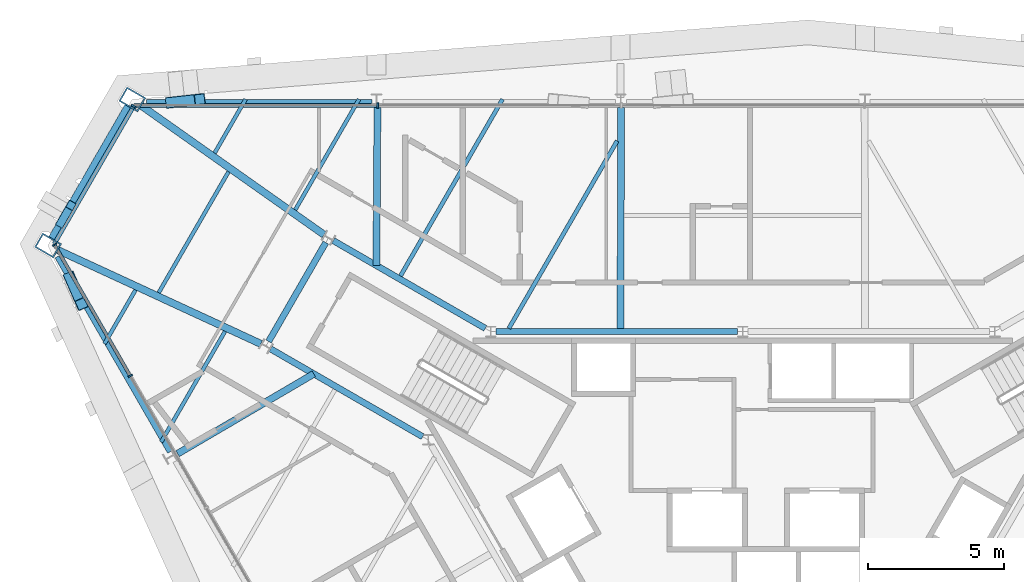
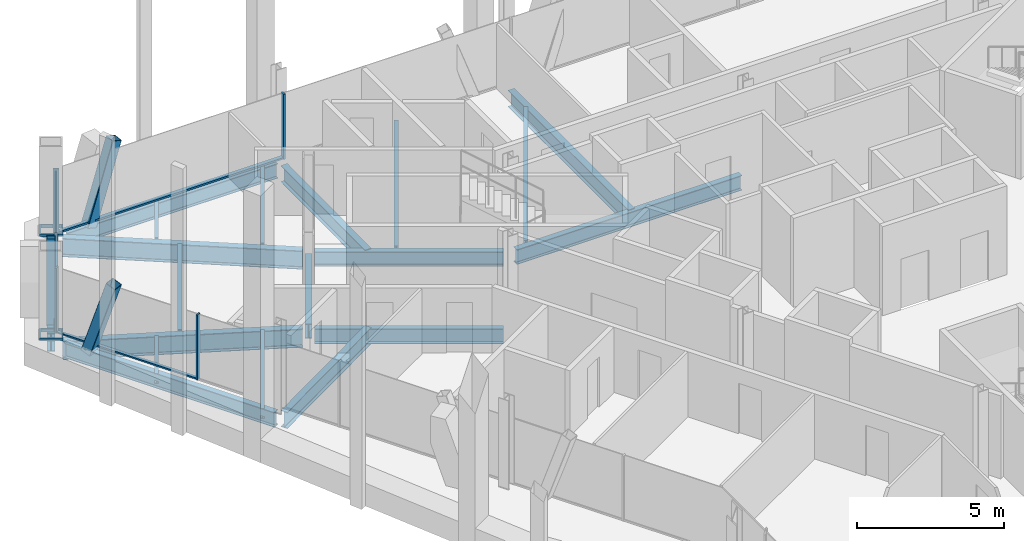
# One storey, part 7 of 16: 19 beams, 12 members, 3 elements without a shape of their own.
"""IFC4 building model written with IfcOpenShell, lengths in metres."""

from ifc_helpers import new_model, si_unit, direction, frame, origin, origin_2d, place, context, subcontext, project, spatial, rectangle, hollow_rectangle, i_section, extrude, material, material_profile, profile_set, type_object, element, aggregate, save


model = new_model("IFC4")

# Units and contexts
model_context = context("Model", 3, precision=1e-05, world=origin(), true_north=direction((0.0, 1.0)))
body_context = subcontext(model_context, "Body", "Model", "MODEL_VIEW")
ifc_project = project(units=[si_unit("LENGTHUNIT", "METRE"), si_unit("AREAUNIT", "SQUARE_METRE"), si_unit("VOLUMEUNIT", "CUBIC_METRE"), si_unit("PLANEANGLEUNIT", "RADIAN"), si_unit("MASSUNIT", "GRAM", prefix="KILO")], contexts=[model_context])

# Site, building, storey
site_placement = place(None, origin())
site = spatial("IfcSite", under=ifc_project, at=site_placement, CompositionType="ELEMENT")
building_placement = place(site_placement, origin())
building = spatial("IfcBuilding", under=site, at=building_placement, Name="Verrane Prism Tower", CompositionType="ELEMENT")
storey_placement = place(building_placement, frame((0.0, 0.0, 236.0)))
storey = spatial("IfcBuildingStorey", under=building, at=storey_placement, Name="L59", CompositionType="ELEMENT", Elevation=236.0)

# Member
ifc_material_1 = material(Name="Steel A500 Grade C", Category="steel")
ifc_material_profile_1 = material_profile(ifc_material_1, hollow_rectangle(XDim=0.3046875, YDim=0.3046875, WallThickness=0.0126953125, InnerFilletRadius=0.00634765625, OuterFilletRadius=0.01904296875, at=origin_2d()), Name="HSS12x12x1/2")
ifc_profile_set_1 = profile_set([ifc_material_profile_1], Name="Steel A500 Grade C")
member_type_1 = type_object("IfcMemberType", Name="Chamfer brace HSS12x12x1/2", PredefinedType="BRACE", material=ifc_profile_set_1)
member_1_placement = place(storey_placement, frame((-25.0517578125, 11.988525390625, -0.24267578125), z_axis=(0.116418923041, 0.201594184977, 0.972525793458), x_axis=(-0.865972450346, 0.500091706831, 0.0)))
element("IfcMember", 1, at=member_1_placement, inside=storey, type_object=member_type_1, Name="Chamfer brace NW0 L59", PredefinedType="BRACE", context=body_context, shape_type="SweptSolid", body=[
    extrude(hollow_rectangle(XDim=0.3046875, YDim=0.3046875, WallThickness=0.0126953125, InnerFilletRadius=0.00634765625, OuterFilletRadius=0.01904296875, at=origin_2d()), origin(), (0.0, 0.0, 1.0), 3.196044921875),
])

# Beams
ifc_material_2 = material(Name="Steel A992", Category="steel")
ifc_material_profile_2 = material_profile(ifc_material_2, i_section(OverallWidth=0.2666015625, OverallDepth=0.7568359375, WebThickness=0.013916015625, FlangeThickness=0.019287109375, FilletRadius=0.0166015625, at=origin_2d()), Name="W30x108")
ifc_profile_set_2 = profile_set([ifc_material_profile_2], Name="Steel A992")
beam_type_1 = type_object("IfcBeamType", Name="Chamfer spandrel beam W30x108", PredefinedType="SPANDREL", material=ifc_profile_set_2)
beam_1_placement = place(storey_placement, frame((-22.580078125, 16.270263671875, -0.53857421875), z_axis=(-0.499927487467, -0.866067264868, 0.0), x_axis=(0.866067264868, -0.499927487467, 0.0)))
element("IfcBeam", 2, at=beam_1_placement, inside=storey, type_object=beam_type_1, Name="Chamfer spandrel beam L59", PredefinedType="SPANDREL", context=body_context, shape_type="SweptSolid", body=[
    extrude(i_section(OverallWidth=0.2666015625, OverallDepth=0.7568359375, WebThickness=0.013916015625, FlangeThickness=0.019287109375, FilletRadius=0.0166015625, at=origin_2d()), origin(), (0.0, 0.0, 1.0), 5.600341796875),
])
ifc_material_3 = material(Name="Steel A992", Category="steel")
ifc_material_profile_3 = material_profile(ifc_material_3, i_section(OverallWidth=0.23046875, OverallDepth=0.6171875, WebThickness=0.01318359375, FlangeThickness=0.022216796875, FilletRadius=0.012939453125, at=origin_2d()), Name="W24x94")
ifc_profile_set_3 = profile_set([ifc_material_profile_3], Name="Steel A992")
beam_type_2 = type_object("IfcBeamType", Name="Core ring girder W24x94", PredefinedType="BEAM", material=ifc_profile_set_3)
beam_2_placement = place(storey_placement, frame((-0.199462890625, 8.0, -0.55859375), z_axis=(-1.0, 0.0, 0.0), x_axis=(0.0, -1.0, 0.0)))
element("IfcBeam", 3, at=beam_2_placement, inside=storey, type_object=beam_type_2, Name="Core ring girder L59", PredefinedType="BEAM", context=body_context, shape_type="SweptSolid", body=[
    extrude(i_section(OverallWidth=0.23046875, OverallDepth=0.6171875, WebThickness=0.01318359375, FlangeThickness=0.022216796875, FilletRadius=0.012939453125, at=origin_2d()), origin(), (0.0, 0.0, 1.0), 8.861083984375),
])
beam_3_placement = place(storey_placement, frame((-9.45947265625, 8.114990234375, -0.55859375), z_axis=(-0.866080992722, 0.499903704773, 0.0), x_axis=(-0.499903704773, -0.866080992722, 0.0)))
element("IfcBeam", 4, at=beam_3_placement, inside=storey, type_object=beam_type_2, Name="Core ring girder L59", PredefinedType="BEAM", context=body_context, shape_type="SweptSolid", body=[
    extrude(i_section(OverallWidth=0.23046875, OverallDepth=0.6171875, WebThickness=0.01318359375, FlangeThickness=0.022216796875, FilletRadius=0.012939453125, at=origin_2d()), origin(), (0.0, 0.0, 1.0), 6.451904296875),
])
beam_4_placement = place(storey_placement, frame((-15.3203125, 11.266357421875, -0.55859375), z_axis=(-0.500375511519, -0.865808493532, 0.0), x_axis=(0.865808493532, -0.500375511519, 0.0)))
element("IfcBeam", 5, at=beam_4_placement, inside=storey, type_object=beam_type_2, Name="Core ring girder L59", PredefinedType="BEAM", context=body_context, shape_type="SweptSolid", body=[
    extrude(i_section(OverallWidth=0.23046875, OverallDepth=0.6171875, WebThickness=0.01318359375, FlangeThickness=0.022216796875, FilletRadius=0.012939453125, at=origin_2d()), origin(), (0.0, 0.0, 1.0), 4.195556640625),
])
beam_5_placement = place(storey_placement, frame((-17.347412109375, 7.3603515625, -0.55859375), z_axis=(0.866080992722, -0.499903704773, 0.0), x_axis=(0.499903704773, 0.866080992722, 0.0)))
element("IfcBeam", 6, at=beam_5_placement, inside=storey, type_object=beam_type_2, Name="Core ring girder L59", PredefinedType="BEAM", context=body_context, shape_type="SweptSolid", body=[
    extrude(i_section(OverallWidth=0.23046875, OverallDepth=0.6171875, WebThickness=0.01318359375, FlangeThickness=0.022216796875, FilletRadius=0.012939453125, at=origin_2d()), origin(), (0.0, 0.0, 1.0), 6.451904296875),
])
ifc_material_4 = material(Name="Steel A992", Category="steel")
ifc_material_profile_4 = material_profile(ifc_material_4, i_section(OverallWidth=0.2666015625, OverallDepth=0.76708984375, WebThickness=0.014892578125, FlangeThickness=0.023681640625, FilletRadius=0.0166015625, at=origin_2d()), Name="W30x124")
ifc_profile_set_4 = profile_set([ifc_material_profile_4], Name="Steel A992")
beam_type_3 = type_object("IfcBeamType", Name="Corner girder W30x124", PredefinedType="BEAM", material=ifc_profile_set_4)
beam_6_placement = place(storey_placement, frame((-22.101806640625, 16.29833984375, -0.603515625), z_axis=(0.816932483904, -0.576733315096, 0.0), x_axis=(0.576733315096, 0.816932483904, 0.0)))
element("IfcBeam", 7, at=beam_6_placement, inside=storey, type_object=beam_type_3, Name="Corner girder L59", PredefinedType="BEAM", context=body_context, shape_type="SweptSolid", body=[
    extrude(i_section(OverallWidth=0.2666015625, OverallDepth=0.76708984375, WebThickness=0.014892578125, FlangeThickness=0.023681640625, FilletRadius=0.0166015625, at=origin_2d()), origin(), (0.0, 0.0, 1.0), 8.223876953125),
])
beam_7_placement = place(storey_placement, frame((-25.165283203125, 10.99169921875, -0.603515625), z_axis=(0.907815050259, -0.419370760215, 0.0), x_axis=(0.419370760215, 0.907815050259, 0.0)))
element("IfcBeam", 8, at=beam_7_placement, inside=storey, type_object=beam_type_3, Name="Corner girder L59", PredefinedType="BEAM", context=body_context, shape_type="SweptSolid", body=[
    extrude(i_section(OverallWidth=0.2666015625, OverallDepth=0.76708984375, WebThickness=0.014892578125, FlangeThickness=0.023681640625, FilletRadius=0.0166015625, at=origin_2d()), origin(), (0.0, 0.0, 1.0), 8.22119140625),
])

# Members
ifc_material_5 = material(Name="Steel A500 Grade C", Category="steel")
ifc_material_profile_5 = material_profile(ifc_material_5, hollow_rectangle(XDim=0.406494140625, YDim=0.406494140625, WallThickness=0.01904296875, InnerFilletRadius=0.009521484375, OuterFilletRadius=0.028564453125, at=origin_2d()), Name="HSS16x16x3/4")
ifc_profile_set_5 = profile_set([ifc_material_profile_5], Name="Steel A500 Grade C")
member_type_2 = type_object("IfcMemberType", Name="Facade brace HSS16x16x3/4", PredefinedType="BRACE", material=ifc_profile_set_5)
member_2_placement = place(storey_placement, frame((-21.00341796875, 16.41455078125, -0.216796875), z_axis=(0.312777259595, 0.034293844179, 0.949207205057), x_axis=(-0.108989863992, 0.994042861021, 0.0)))
element("IfcMember", 9, at=member_2_placement, inside=storey, type_object=member_type_2, Name="Facade brace N4 L59", PredefinedType="BRACE", context=body_context, shape_type="SweptSolid", body=[
    extrude(hollow_rectangle(XDim=0.406494140625, YDim=0.406494140625, WallThickness=0.01904296875, InnerFilletRadius=0.009521484375, OuterFilletRadius=0.028564453125, at=origin_2d()), origin(), (0.0, 0.0, 1.0), 3.367431640625),
])
member_3_placement = place(storey_placement, frame((-24.716796875, 9.9814453125, -0.216796875), z_axis=(0.126310215839, -0.287932185474, 0.949284354629), x_axis=(0.91575993067, 0.401725963039, 0.0)))
element("IfcMember", 10, at=member_3_placement, inside=storey, type_object=member_type_2, Name="Facade brace SW0 L59", PredefinedType="BRACE", context=body_context, shape_type="SweptSolid", body=[
    extrude(hollow_rectangle(XDim=0.406494140625, YDim=0.406494140625, WallThickness=0.01904296875, InnerFilletRadius=0.009521484375, OuterFilletRadius=0.028564453125, at=origin_2d()), origin(), (0.0, 0.0, 1.0), 3.366943359375),
])

# Beams
ifc_material_6 = material(Name="Steel A992", Category="steel")
ifc_material_profile_6 = material_profile(ifc_material_6, i_section(OverallWidth=0.140380859375, OverallDepth=0.40380859375, WebThickness=0.007080078125, FlangeThickness=0.01123046875, FilletRadius=0.01025390625, at=origin_2d()), Name="W16x31")
ifc_profile_set_6 = profile_set([ifc_material_profile_6], Name="Steel A992")
beam_type_4 = type_object("IfcBeamType", Name="Floor beam W16x31", PredefinedType="BEAM", material=ifc_profile_set_6)
beam_8_placement = place(storey_placement, frame((-16.44384765625, 12.46728515625, -0.36181640625), z_axis=(0.499973230497, 0.866040858613, 0.0), x_axis=(-0.866040858613, 0.499973230497, 0.0)))
element("IfcBeam", 11, at=beam_8_placement, inside=storey, type_object=beam_type_4, Name="Floor beam L59", PredefinedType="BEAM", context=body_context, shape_type="SweptSolid", body=[
    extrude(i_section(OverallWidth=0.140380859375, OverallDepth=0.40380859375, WebThickness=0.007080078125, FlangeThickness=0.01123046875, FilletRadius=0.01025390625, at=origin_2d()), origin(), (0.0, 0.0, 1.0), 4.691162109375),
])
beam_9_placement = place(storey_placement, frame((-19.4033203125, 14.556640625, -0.36181640625), z_axis=(0.499941961316, 0.866058909841, 0.0), x_axis=(-0.866058909841, 0.499941961316, 0.0)))
element("IfcBeam", 12, at=beam_9_placement, inside=storey, type_object=beam_type_4, Name="Floor beam L59", PredefinedType="BEAM", context=body_context, shape_type="SweptSolid", body=[
    extrude(i_section(OverallWidth=0.140380859375, OverallDepth=0.40380859375, WebThickness=0.007080078125, FlangeThickness=0.01123046875, FilletRadius=0.01025390625, at=origin_2d()), origin(), (0.0, 0.0, 1.0), 2.278564453125),
])
beam_10_placement = place(storey_placement, frame((-21.367919921875, 3.941162109375, -0.36181640625), z_axis=(0.500043612151, 0.866000222833, 0.0), x_axis=(-0.866000222833, 0.500043612151, 0.0)))
element("IfcBeam", 13, at=beam_10_placement, inside=storey, type_object=beam_type_4, Name="Floor beam L59", PredefinedType="BEAM", context=body_context, shape_type="SweptSolid", body=[
    extrude(i_section(OverallWidth=0.140380859375, OverallDepth=0.40380859375, WebThickness=0.007080078125, FlangeThickness=0.01123046875, FilletRadius=0.01025390625, at=origin_2d()), origin(), (0.0, 0.0, 1.0), 4.69384765625),
])
beam_11_placement = place(storey_placement, frame((-23.448974609375, 7.550537109375, -0.36181640625), z_axis=(0.50003140069, 0.866007273829, 0.0), x_axis=(-0.866007273829, 0.50003140069, 0.0)))
element("IfcBeam", 14, at=beam_11_placement, inside=storey, type_object=beam_type_4, Name="Floor beam L59", PredefinedType="BEAM", context=body_context, shape_type="SweptSolid", body=[
    extrude(i_section(OverallWidth=0.140380859375, OverallDepth=0.40380859375, WebThickness=0.007080078125, FlangeThickness=0.01123046875, FilletRadius=0.01025390625, at=origin_2d()), origin(), (0.0, 0.0, 1.0), 2.280029296875),
])
beam_12_placement = place(storey_placement, frame((-21.457275390625, 9.42578125, -0.36181640625), z_axis=(0.499992949462, 0.866029474376, 0.0), x_axis=(-0.866029474376, 0.499992949462, 0.0)))
element("IfcBeam", 15, at=beam_12_placement, inside=storey, type_object=beam_type_4, Name="Floor beam L59", PredefinedType="BEAM", context=body_context, shape_type="SweptSolid", body=[
    extrude(i_section(OverallWidth=0.140380859375, OverallDepth=0.40380859375, WebThickness=0.007080078125, FlangeThickness=0.01123046875, FilletRadius=0.01025390625, at=origin_2d()), origin(), (0.0, 0.0, 1.0), 5.13037109375),
])
ifc_material_7 = material(Name="Steel A992", Category="steel")
ifc_material_profile_7 = material_profile(ifc_material_7, i_section(OverallWidth=0.15234375, OverallDepth=0.449462890625, WebThickness=0.007568359375, FlangeThickness=0.0107421875, FilletRadius=0.01025390625, at=origin_2d()), Name="W18x35")
ifc_profile_set_7 = profile_set([ifc_material_profile_7], Name="Steel A992")
beam_type_5 = type_object("IfcBeamType", Name="Floor beam W18x35", PredefinedType="BEAM", material=ifc_profile_set_7)
beam_13_placement = place(storey_placement, frame((-8.59326171875, 8.114990234375, -0.384765625), z_axis=(0.500002385648, 0.866024026425, 0.0), x_axis=(-0.866024026425, 0.500002385648, 0.0)))
element("IfcBeam", 16, at=beam_13_placement, inside=storey, type_object=beam_type_5, Name="Floor beam L59", PredefinedType="BEAM", context=body_context, shape_type="SweptSolid", body=[
    extrude(i_section(OverallWidth=0.15234375, OverallDepth=0.449462890625, WebThickness=0.007568359375, FlangeThickness=0.0107421875, FilletRadius=0.01025390625, at=origin_2d()), origin(), (0.0, 0.0, 1.0), 7.9521484375),
])
beam_14_placement = place(storey_placement, frame((-12.57421875, 10.042236328125, -0.384765625), z_axis=(0.500012072847, 0.866018433411, 0.0), x_axis=(-0.866018433411, 0.500012072847, 0.0)))
element("IfcBeam", 17, at=beam_14_placement, inside=storey, type_object=beam_type_5, Name="Floor beam L59", PredefinedType="BEAM", context=body_context, shape_type="SweptSolid", body=[
    extrude(i_section(OverallWidth=0.15234375, OverallDepth=0.449462890625, WebThickness=0.007568359375, FlangeThickness=0.0107421875, FilletRadius=0.01025390625, at=origin_2d()), origin(), (0.0, 0.0, 1.0), 7.491455078125),
])

# Members
ifc_material_8 = material(Name="Steel A572 Grade 50", Category="steel")
ifc_material_profile_8 = material_profile(ifc_material_8, hollow_rectangle(XDim=0.60009765625, YDim=0.800048828125, WallThickness=0.050048828125, at=origin_2d()), Name="BOX 800x600x50")
ifc_profile_set_8 = profile_set([ifc_material_profile_8], Name="Steel A572 Grade 50")
member_type_3 = type_object("IfcMemberType", Name="Kink node BOX 800x600x50", PredefinedType="COLLAR", material=ifc_profile_set_8)
for number, where, z_axis, x_axis, name in (
    (18, (-22.426513671875, 16.52392578125, -0.06494140625), (0.0, 0.0, 1.0), (0.5, 0.866025403784, 0.0), "Kink node MC4 L59"),
    (19, (-25.52294921875, 11.159912109375, -0.06494140625), (0.0, 0.0, 1.0), (0.5, 0.866025403784, 0.0), "Kink node MC4 L59"),
):
    element("IfcMember", number, at=place(storey_placement, frame(where, z_axis=z_axis, x_axis=x_axis)), inside=storey, type_object=member_type_3, Name=name, PredefinedType="COLLAR", context=body_context, shape_type="SweptSolid", body=[
        extrude(hollow_rectangle(XDim=0.60009765625, YDim=0.800048828125, WallThickness=0.050048828125, at=origin_2d()), origin(), (0.0, 0.0, 1.0), 0.1298828125),
    ])

# Curtain wall, members
ifc_material_9 = material(Name="Aluminium framed insulated glazing", Category="aluminium")
curtain_wall_type_1 = type_object("IfcCurtainWallType", Name="Curtain wall CW-B 5600 module", PredefinedType="NOTDEFINED", material=ifc_material_9)
curtain_wall_1_placement = place(storey_placement, origin())
curtain_wall_1 = element("IfcCurtainWall", 20, at=curtain_wall_1_placement, inside=storey, type_object=curtain_wall_type_1, Name="Glazed curtain wall south-west face L59", PredefinedType="NOTDEFINED")
ifc_material_10 = material(Name="Aluminium alloy 6063-T6", Category="aluminium")
ifc_material_profile_9 = material_profile(ifc_material_10, rectangle(XDim=0.159912109375, YDim=0.06005859375, at=origin_2d()), Name="Mullion 60x160 aluminium")
ifc_profile_set_9 = profile_set([ifc_material_profile_9], Name="Aluminium alloy 6063-T6")
member_type_4 = type_object("IfcMemberType", Name="Mullion 60x160 aluminium", PredefinedType="MULLION", material=ifc_profile_set_9)
member_4_placement = place(storey_placement, frame((-25.28271484375, 11.187255859375, 0.0), z_axis=(0.0, 0.0, 1.0), x_axis=(0.866025759098, 0.499999384578, 0.0)))
member_4 = element("IfcMember", 21, at=member_4_placement, type_object=member_type_4, Name="CW59.4 mullion 1", PredefinedType="MULLION", context=body_context, shape_type="SweptSolid", body=[
    extrude(rectangle(XDim=0.159912109375, YDim=0.06005859375, at=origin_2d()), origin(), (0.0, 0.0, 1.0), 2.712890625),
])
member_5_placement = place(storey_placement, frame((-22.502685546875, 6.3720703125, 0.0), z_axis=(0.0, 0.0, 1.0), x_axis=(0.866025759098, 0.499999384578, 0.0)))
member_5 = element("IfcMember", 22, at=member_5_placement, type_object=member_type_4, Name="CW59.4 mullion 2", PredefinedType="MULLION", context=body_context, shape_type="SweptSolid", body=[
    extrude(rectangle(XDim=0.159912109375, YDim=0.06005859375, at=origin_2d()), origin(), (0.0, 0.0, 1.0), 2.712890625),
])

# Curtain wall, member
ifc_material_11 = material(Name="Aluminium framed insulated glazing", Category="aluminium")
curtain_wall_type_2 = type_object("IfcCurtainWallType", Name="Curtain wall CW-A 8400 module", PredefinedType="NOTDEFINED", material=ifc_material_11)
curtain_wall_2_placement = place(storey_placement, origin())
curtain_wall_2 = element("IfcCurtainWall", 23, at=curtain_wall_2_placement, inside=storey, type_object=curtain_wall_type_2, Name="Glazed curtain wall north face L59", PredefinedType="NOTDEFINED")
ifc_material_12 = material(Name="Aluminium alloy 6063-T6", Category="aluminium")
ifc_material_profile_10 = material_profile(ifc_material_12, rectangle(XDim=0.199951171875, YDim=0.070068359375, at=origin_2d()), Name="Mullion 70x200 aluminium")
ifc_profile_set_10 = profile_set([ifc_material_profile_10], Name="Aluminium alloy 6063-T6")
member_type_5 = type_object("IfcMemberType", Name="Mullion 70x200 aluminium", PredefinedType="MULLION", material=ifc_profile_set_10)
member_6_placement = place(storey_placement, frame((-13.415771484375, 16.3017578125, 0.0), z_axis=(0.0, 0.0, 1.0), x_axis=(0.0, -1.0, 0.0)))
member_6 = element("IfcMember", 24, at=member_6_placement, type_object=member_type_5, Name="CW59.2 mullion 5", PredefinedType="MULLION", context=body_context, shape_type="SweptSolid", body=[
    extrude(rectangle(XDim=0.199951171875, YDim=0.070068359375, at=origin_2d()), origin(), (0.0, 0.0, 1.0), 2.712890625),
])

curtain_wall_3_placement = place(storey_placement, origin())
curtain_wall_3 = element("IfcCurtainWall", 25, at=curtain_wall_3_placement, inside=storey, type_object=curtain_wall_type_2, Name="Glazed curtain wall north-west corner L59", PredefinedType="NOTDEFINED")
member_7_placement = place(storey_placement, frame((-22.377197265625, 16.271484375, 0.0), z_axis=(0.0, 0.0, 1.0), x_axis=(0.866025741287, -0.499999415427, 0.0)))
member_7 = element("IfcMember", 26, at=member_7_placement, type_object=member_type_5, Name="CW59.3 mullion 1", PredefinedType="MULLION", context=body_context, shape_type="SweptSolid", body=[
    extrude(rectangle(XDim=0.199951171875, YDim=0.070068359375, at=origin_2d()), origin(), (0.0, 0.0, 1.0), 2.712890625),
])

# Beams
ifc_material_13 = material(Name="Steel A992", Category="steel")
ifc_material_profile_11 = material_profile(ifc_material_13, i_section(OverallWidth=0.25390625, OverallDepth=0.683349609375, WebThickness=0.012451171875, FlangeThickness=0.01904296875, FilletRadius=0.01513671875, at=origin_2d()), Name="W27x94")
ifc_profile_set_11 = profile_set([ifc_material_profile_11], Name="Steel A992")
beam_type_6 = type_object("IfcBeamType", Name="Radial girder W27x94", PredefinedType="BEAM", material=ifc_profile_set_11)
beam_15_placement = place(storey_placement, frame((-4.47705078125, 16.2216796875, -0.5615234375), z_axis=(-0.00157381917, -0.999998761546, 0.0), x_axis=(0.999998761546, -0.00157381917, 0.0)))
element("IfcBeam", 27, at=beam_15_placement, inside=storey, type_object=beam_type_6, Name="Radial girder L59", PredefinedType="BEAM", context=body_context, shape_type="SweptSolid", body=[
    extrude(i_section(OverallWidth=0.25390625, OverallDepth=0.683349609375, WebThickness=0.012451171875, FlangeThickness=0.01904296875, FilletRadius=0.01513671875, at=origin_2d()), origin(), (0.0, 0.0, 1.0), 8.2216796875),
])
beam_16_placement = place(storey_placement, frame((-13.421630859375, 16.2216796875, -0.5615234375), z_axis=(-0.00661149535, -0.999978143826, 0.0), x_axis=(0.999978143826, -0.00661149535, 0.0)))
element("IfcBeam", 28, at=beam_16_placement, inside=storey, type_object=beam_type_6, Name="Radial girder L59", PredefinedType="BEAM", context=body_context, shape_type="SweptSolid", body=[
    extrude(i_section(OverallWidth=0.25390625, OverallDepth=0.683349609375, WebThickness=0.012451171875, FlangeThickness=0.01904296875, FilletRadius=0.01513671875, at=origin_2d()), origin(), (0.0, 0.0, 1.0), 5.797607421875),
])
beam_17_placement = place(storey_placement, frame((-20.76318359375, 3.5107421875, -0.5615234375), z_axis=(0.862663770161, 0.50577783626, 0.0), x_axis=(-0.50577783626, 0.862663770161, 0.0)))
element("IfcBeam", 29, at=beam_17_placement, inside=storey, type_object=beam_type_6, Name="Radial girder L59", PredefinedType="BEAM", context=body_context, shape_type="SweptSolid", body=[
    extrude(i_section(OverallWidth=0.25390625, OverallDepth=0.683349609375, WebThickness=0.012451171875, FlangeThickness=0.01904296875, FilletRadius=0.01513671875, at=origin_2d()), origin(), (0.0, 0.0, 1.0), 5.799560546875),
])
ifc_material_14 = material(Name="Steel A992", Category="steel")
ifc_material_profile_12 = material_profile(ifc_material_14, i_section(OverallWidth=0.23046875, OverallDepth=0.6171875, WebThickness=0.01318359375, FlangeThickness=0.022216796875, FilletRadius=0.012939453125, at=origin_2d()), Name="W24x94")
ifc_profile_set_12 = profile_set([ifc_material_profile_12], Name="Steel A992")
beam_type_7 = type_object("IfcBeamType", Name="Spandrel beam W24x94", PredefinedType="SPANDREL", material=ifc_profile_set_12)
beam_18_placement = place(storey_placement, frame((-13.619873046875, 16.41455078125, -0.468505859375), z_axis=(-1.0, 0.0, 0.0), x_axis=(0.0, -1.0, 0.0)))
element("IfcBeam", 30, at=beam_18_placement, inside=storey, type_object=beam_type_7, Name="Spandrel beam L59", PredefinedType="SPANDREL", context=body_context, shape_type="SweptSolid", body=[
    extrude(i_section(OverallWidth=0.23046875, OverallDepth=0.6171875, WebThickness=0.01318359375, FlangeThickness=0.022216796875, FilletRadius=0.012939453125, at=origin_2d()), origin(), (0.0, 0.0, 1.0), 8.2822265625),
])
beam_19_placement = place(storey_placement, frame((-25.165771484375, 10.759765625, -0.468505859375), z_axis=(0.499503797295, -0.866311697074, 0.0), x_axis=(0.866311697074, 0.499503797295, 0.0)))
element("IfcBeam", 31, at=beam_19_placement, inside=storey, type_object=beam_type_7, Name="Spandrel beam L59", PredefinedType="SPANDREL", context=body_context, shape_type="SweptSolid", body=[
    extrude(i_section(OverallWidth=0.23046875, OverallDepth=0.6171875, WebThickness=0.01318359375, FlangeThickness=0.022216796875, FilletRadius=0.012939453125, at=origin_2d()), origin(), (0.0, 0.0, 1.0), 8.28125),
])

# Member
ifc_material_15 = material(Name="Aluminium alloy 6063-T6", Category="aluminium")
ifc_material_profile_13 = material_profile(ifc_material_15, rectangle(XDim=0.1201171875, YDim=0.06005859375, at=origin_2d()), Name="Transom 60x120 aluminium")
ifc_profile_set_13 = profile_set([ifc_material_profile_13], Name="Aluminium alloy 6063-T6")
member_type_6 = type_object("IfcMemberType", Name="Transom 60x120 aluminium", PredefinedType="USERDEFINED", material=ifc_profile_set_13)
member_8_placement = place(storey_placement, frame((-25.267578125, 11.1611328125, 0.030029296875), z_axis=(0.500015767406, -0.866016300277, 0.0), x_axis=(0.866016300277, 0.500015767406, 0.0)))
member_8 = element("IfcMember", 32, at=member_8_placement, type_object=member_type_6, Name="CW59.4 transom 1", ObjectType="TRANSOM", PredefinedType="USERDEFINED", context=body_context, shape_type="SweptSolid", body=[
    extrude(rectangle(XDim=0.1201171875, YDim=0.06005859375, at=origin_2d()), origin(), (0.0, 0.0, 1.0), 5.499755859375),
])

aggregate(curtain_wall_1, [member_4, member_5, member_8])

ifc_material_16 = material(Name="Aluminium alloy 6063-T6", Category="aluminium")
ifc_material_profile_14 = material_profile(ifc_material_16, rectangle(XDim=0.14990234375, YDim=0.070068359375, at=origin_2d()), Name="Transom 70x150 aluminium")
ifc_profile_set_14 = profile_set([ifc_material_profile_14], Name="Aluminium alloy 6063-T6")
member_type_7 = type_object("IfcMemberType", Name="Transom 70x150 aluminium", PredefinedType="USERDEFINED", material=ifc_profile_set_14)
member_9_placement = place(storey_placement, frame((-13.450927734375, 16.3017578125, 0.034912109375), z_axis=(-1.0, 0.0, 0.0), x_axis=(0.0, -1.0, 0.0)))
member_9 = element("IfcMember", 33, at=member_9_placement, type_object=member_type_7, Name="CW59.2 transom 5", ObjectType="TRANSOM", PredefinedType="USERDEFINED", context=body_context, shape_type="SweptSolid", body=[
    extrude(rectangle(XDim=0.14990234375, YDim=0.070068359375, at=origin_2d()), origin(), (0.0, 0.0, 1.0), 8.90869140625),
])

aggregate(curtain_wall_2, [member_6, member_9])

member_10_placement = place(storey_placement, frame((-22.394775390625, 16.2412109375, 0.034912109375), z_axis=(-0.499983322773, -0.866035032172, 0.0), x_axis=(0.866035032172, -0.499983322773, 0.0)))
member_10 = element("IfcMember", 34, at=member_10_placement, type_object=member_type_7, Name="CW59.3 transom 1", ObjectType="TRANSOM", PredefinedType="USERDEFINED", context=body_context, shape_type="SweptSolid", body=[
    extrude(rectangle(XDim=0.14990234375, YDim=0.070068359375, at=origin_2d()), origin(), (0.0, 0.0, 1.0), 5.805908203125),
])

aggregate(curtain_wall_3, [member_7, member_10])

save(model, "model.ifc")
